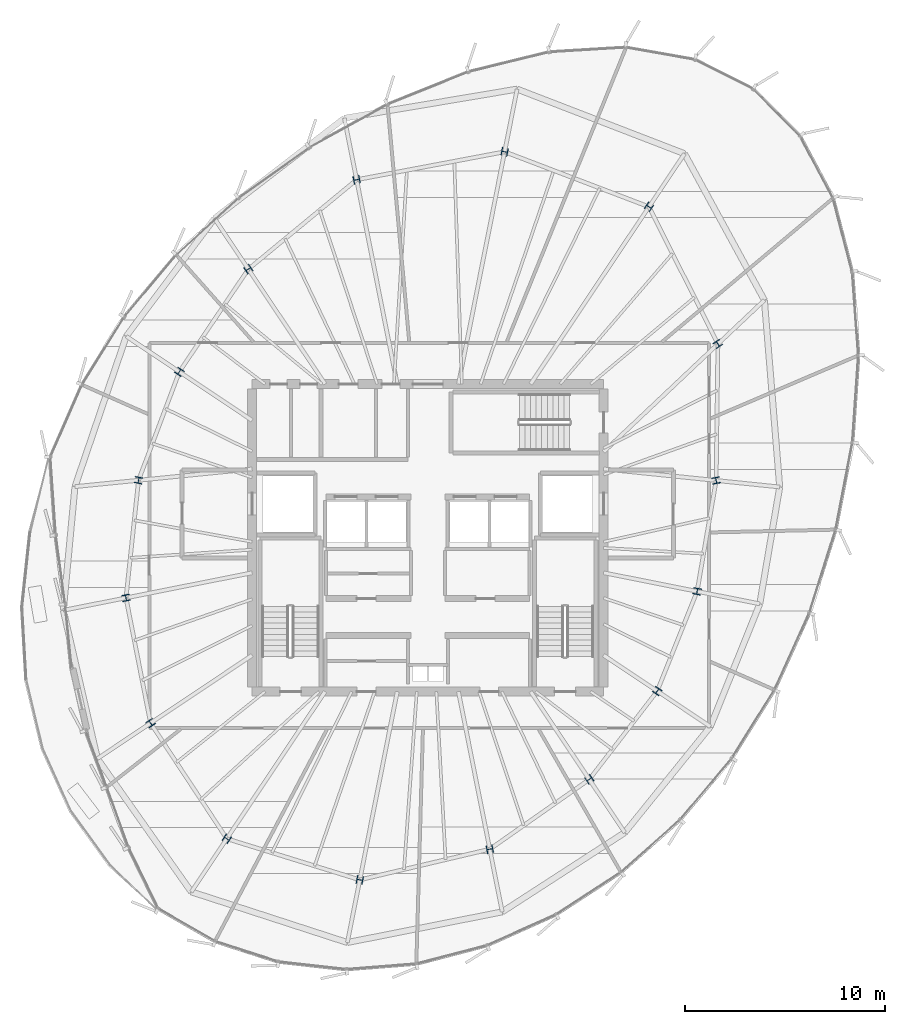
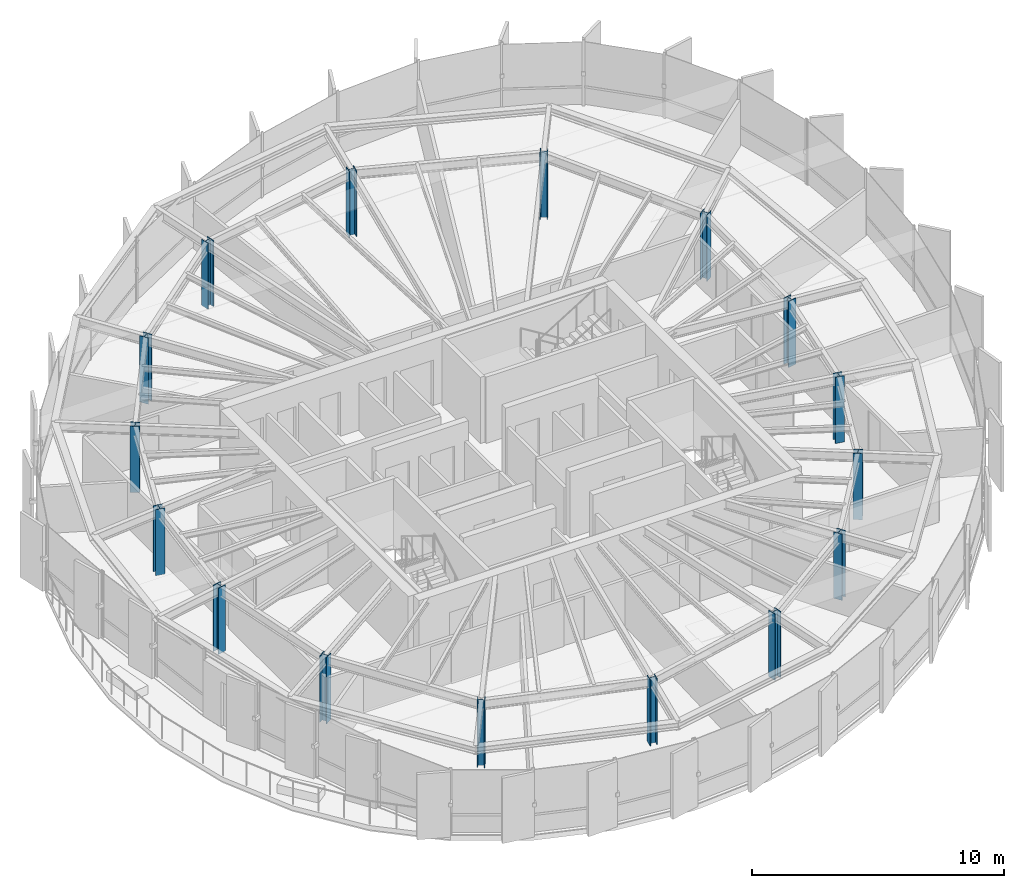
# One storey, part 1 of 32: 16 columns.
"""IFC4 building model written with IfcOpenShell, lengths in metres."""

from ifc_helpers import new_model, si_unit, direction, frame, origin, origin_2d, place, context, subcontext, project, spatial, i_section, extrude, source, transform, mapped, material, material_profile, profile_set, type_object, element, save


model = new_model("IFC4")

# Units and contexts
model_context = context("Model", 3, precision=1e-05, world=origin(), true_north=direction((0.0, 1.0)))
body_context = subcontext(model_context, "Body", "Model", "MODEL_VIEW")
ifc_project = project(units=[si_unit("LENGTHUNIT", "METRE"), si_unit("AREAUNIT", "SQUARE_METRE"), si_unit("VOLUMEUNIT", "CUBIC_METRE"), si_unit("PLANEANGLEUNIT", "RADIAN"), si_unit("MASSUNIT", "GRAM", prefix="KILO"), si_unit("THERMODYNAMICTEMPERATUREUNIT", "KELVIN")], contexts=[model_context])

# Site, building, storey
site_placement = place(None, origin())
site = spatial("IfcSite", under=ifc_project, at=site_placement, CompositionType="ELEMENT")
building_placement = place(site_placement, origin())
building = spatial("IfcBuilding", under=site, at=building_placement, Name="Kethvar Cultural Tower", CompositionType="ELEMENT")
storey_placement = place(building_placement, frame((0.0, 0.0, 252.550048828125)))
storey = spatial("IfcBuildingStorey", under=building, at=storey_placement, Name="L66", CompositionType="ELEMENT", Elevation=252.550048828125)

# Columns
ifc_material = material(Name="Steel S460M", Category="steel")
ifc_material_profile = material_profile(ifc_material, i_section(OverallWidth=0.386962890625, OverallDepth=0.31591796875, WebThickness=0.0185546875, FlangeThickness=0.028076171875, FilletRadius=0.014892578125, at=origin_2d()), Name="Steel S460M — HD400x382")
ifc_profile_set = profile_set([ifc_material_profile], Name="Steel S460M — HD400x382")
column_type = type_object("IfcColumnType", Name="COL-HD382", PredefinedType="COLUMN", material=ifc_profile_set)
shared_shape = source(origin(), body_context, "Body", "SweptSolid", [
    extrude(i_section(OverallWidth=0.386962890625, OverallDepth=0.31591796875, WebThickness=0.0185546875, FlangeThickness=0.028076171875, FilletRadius=0.014892578125, at=origin_2d()), origin(), (0.0, 0.0, 1.0), 3.2099609375),
])
for number, where, z_axis, x_axis, name in (
    (1, (61.237060546875, 30.671630859375, 0.0), (0.0, 0.0, 1.0), (0.980785280403, 0.195090322016, 0.0), "L66 Mega-Column MC-01"),
    (2, (61.32568359375, 37.505859375, 0.0), (0.0, 0.0, 1.0), (0.831469612303, 0.55557023302, 0.0), "L66 Mega-Column MC-02"),
    (3, (57.875244140625, 44.375, 0.0), (0.0, 0.0, 1.0), (0.55557023302, 0.831469612303, 0.0), "L66 Mega-Column MC-03"),
    (4, (50.645263671875, 47.131591796875, 0.0), (0.0, 0.0, 1.0), (0.195090322016, 0.980785280403, 0.0), "L66 Mega-Column MC-04"),
    (5, (43.23291015625, 45.732421875, 0.0), (0.0, 0.0, 1.0), (-0.195090322016, 0.980785280403, 0.0), "L66 Mega-Column MC-05"),
    (6, (37.8095703125, 41.255126953125, 0.0), (0.0, 0.0, 1.0), (-0.55557023302, 0.831469612303, 0.0), "L66 Mega-Column MC-06"),
    (7, (34.35595703125, 36.114990234375, 0.0), (0.0, 0.0, 1.0), (-0.831469612303, 0.55557023302, 0.0), "L66 Mega-Column MC-07"),
    (8, (32.3125, 30.681884765625, 0.0), (0.0, 0.0, 1.0), (-0.980785280403, 0.195090322016, 0.0), "L66 Mega-Column MC-08"),
    (9, (31.68310546875, 24.79296875, 0.0), (0.0, 0.0, 1.0), (-0.980785280403, -0.195090322016, 0.0), "L66 Mega-Column MC-09"),
    (10, (32.912841796875, 18.52099609375, 0.0), (0.0, 0.0, 1.0), (-0.831469612303, -0.55557023302, 0.0), "L66 Mega-Column MC-10"),
    (11, (36.731201171875, 12.73095703125, 0.0), (0.0, 0.0, 1.0), (-0.55557023302, -0.831469612303, 0.0), "L66 Mega-Column MC-11"),
    (12, (43.392822265625, 10.67138671875, 0.0), (0.0, 0.0, 1.0), (-0.195090322016, -0.980785280403, 0.0), "L66 Mega-Column MC-12"),
    (13, (49.901611328125, 12.206787109375, 0.0), (0.0, 0.0, 1.0), (0.195090322016, -0.980785280403, 0.0), "L66 Mega-Column MC-13"),
    (14, (54.885009765625, 15.7001953125, 0.0), (0.0, 0.0, 1.0), (0.55557023302, -0.831469612303, 0.0), "L66 Mega-Column MC-14"),
    (15, (58.287109375, 20.12451171875, 0.0), (0.0, 0.0, 1.0), (0.831469612303, -0.55557023302, 0.0), "L66 Mega-Column MC-15"),
    (16, (60.28369140625, 25.117919921875, 0.0), (0.0, 0.0, 1.0), (0.980785280403, -0.195090322016, 0.0), "L66 Mega-Column MC-16"),
):
    element("IfcColumn", number, at=place(storey_placement, frame(where, z_axis=z_axis, x_axis=x_axis)), inside=storey, type_object=column_type, Name=name, PredefinedType="COLUMN", context=body_context, shape_type="MappedRepresentation", body=[
        mapped(shared_shape, transform((0.0, 0.0, 0.0), scale=1.0)),
    ])

save(model, "model.ifc")
